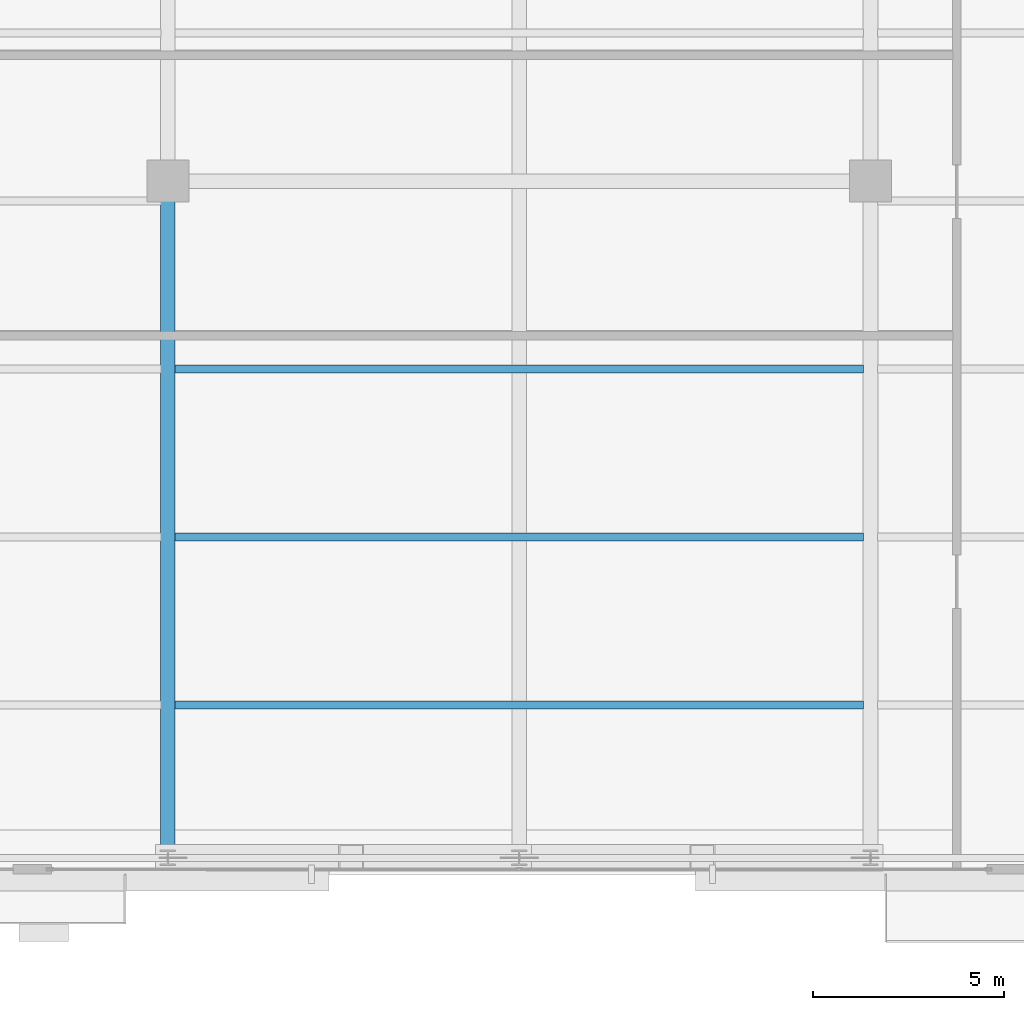
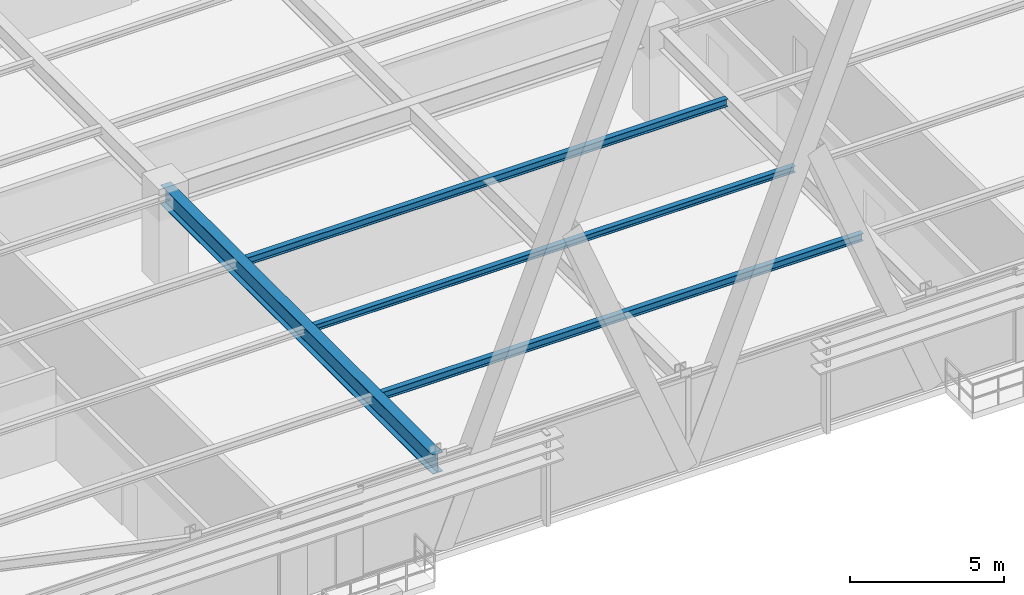
# One storey, part 8 of 32: 4 beams.
"""IFC4 building model written with IfcOpenShell, lengths in metres."""

from ifc_helpers import new_model, si_unit, direction, frame, origin, origin_2d, place, context, subcontext, project, spatial, i_section, extrude, source, transform, mapped, material, material_profile, profile_set, type_object, type_shapes, element, save


model = new_model("IFC4")

# Units and contexts
model_context = context("Model", 3, precision=1e-05, world=origin(), true_north=direction((0.0, 1.0)))
body_context = subcontext(model_context, "Body", "Model", "MODEL_VIEW")
ifc_project = project(units=[si_unit("LENGTHUNIT", "METRE"), si_unit("AREAUNIT", "SQUARE_METRE"), si_unit("VOLUMEUNIT", "CUBIC_METRE"), si_unit("PLANEANGLEUNIT", "RADIAN"), si_unit("MASSUNIT", "GRAM", prefix="KILO")], contexts=[model_context])

# Site, building, storey
site_placement = place(None, origin())
site = spatial("IfcSite", under=ifc_project, at=site_placement, CompositionType="ELEMENT")
building_placement = place(site_placement, origin())
building = spatial("IfcBuilding", under=site, at=building_placement, Name="Varnel Quay Broadcast Tower", CompositionType="ELEMENT")
storey_placement = place(building_placement, frame((0.0, 0.0, 58.800048828125)))
storey = spatial("IfcBuildingStorey", under=building, at=storey_placement, Name="L13", CompositionType="ELEMENT", Elevation=58.800048828125)

# Beams
ifc_material = material(Name="Structural Steel CSA G40.21 350W", Category="steel")
ifc_material_profile_1 = material_profile(ifc_material, i_section(OverallWidth=0.381103515625, OverallDepth=0.77294921875, WebThickness=0.0166015625, FlangeThickness=0.027587890625, FilletRadius=0.01806640625, at=origin_2d()), Name="W760X257")
ifc_profile_set_1 = profile_set([ifc_material_profile_1], Name="Structural Steel CSA G40.21 350W")
beam_type_1 = type_object("IfcBeamType", Name="Girder_W760X257", PredefinedType="BEAM", material=ifc_profile_set_1)
shared_shape_1 = source(origin(), body_context, "Body", "SweptSolid", [
    extrude(i_section(OverallWidth=0.381103515625, OverallDepth=0.77294921875, WebThickness=0.0166015625, FlangeThickness=0.027587890625, FilletRadius=0.01806640625, at=origin_2d()), origin(), (0.0, 0.0, 1.0), 17.68017578125),
])
type_shapes(beam_type_1, [shared_shape_1])
beam_1_placement = place(storey_placement, frame((24.800048828125, 1.669921875, 3.263427734375), z_axis=(0.0, 1.0, 0.0), x_axis=(-1.0, 0.0, 0.0)))
element("IfcBeam", 1, at=beam_1_placement, inside=storey, type_object=beam_type_1, Name="L13 Primary Girder TC-S2-IC-01", PredefinedType="BEAM", context=body_context, shape_type="MappedRepresentation", body=[
    mapped(shared_shape_1, transform((0.0, 0.0, 0.0), x_axis=(1.0, 0.0, 0.0), y_axis=(0.0, 1.0, 0.0), z_axis=(0.0, 0.0, 1.0), scale=1.0)),
])
ifc_material_profile_2 = material_profile(ifc_material, i_section(OverallWidth=0.202880859375, OverallDepth=0.302978515625, WebThickness=0.007568359375, FlangeThickness=0.01318359375, FilletRadius=0.011962890625, at=origin_2d()), Name="W310X60")
ifc_profile_set_2 = profile_set([ifc_material_profile_2], Name="Structural Steel CSA G40.21 350W")
beam_type_2 = type_object("IfcBeamType", Name="Beam_W310X60", PredefinedType="JOIST", material=ifc_profile_set_2)
shared_shape_2 = source(origin(), body_context, "Body", "SweptSolid", [
    extrude(i_section(OverallWidth=0.202880859375, OverallDepth=0.302978515625, WebThickness=0.007568359375, FlangeThickness=0.01318359375, FilletRadius=0.011962890625, at=origin_2d()), origin(), (0.0, 0.0, 1.0), 18.02880859375),
])
type_shapes(beam_type_2, [shared_shape_2])
for number, where, z_axis, x_axis, name in (
    (2, (24.985595703125, 5.64990234375, 3.49853515625), (1.0, 0.0, 0.0), (0.0, 1.0, 0.0), "L13 Central Floor Joist 1"),
    (3, (24.985595703125, 14.449951171875, 3.49853515625), (1.0, 0.0, 0.0), (0.0, 1.0, 0.0), "L13 Central Floor Joist 3"),
):
    element("IfcBeam", number, at=place(storey_placement, frame(where, z_axis=z_axis, x_axis=x_axis)), inside=storey, type_object=beam_type_2, Name=name, PredefinedType="JOIST", context=body_context, shape_type="MappedRepresentation", body=[
        mapped(shared_shape_2, transform((0.0, 0.0, 0.0), x_axis=(1.0, 0.0, 0.0), y_axis=(0.0, 1.0, 0.0), z_axis=(0.0, 0.0, 1.0), scale=1.0)),
    ])
ifc_material_profile_3 = material_profile(ifc_material, i_section(OverallWidth=0.201904296875, OverallDepth=0.2470703125, WebThickness=0.00732421875, FlangeThickness=0.010986328125, FilletRadius=0.010986328125, at=origin_2d()), Name="W250X49")
ifc_profile_set_3 = profile_set([ifc_material_profile_3], Name="Structural Steel CSA G40.21 350W")
beam_type_3 = type_object("IfcBeamType", Name="Beam_W250X49", PredefinedType="JOIST", material=ifc_profile_set_3)
shared_shape_3 = source(origin(), body_context, "Body", "SweptSolid", [
    extrude(i_section(OverallWidth=0.201904296875, OverallDepth=0.2470703125, WebThickness=0.00732421875, FlangeThickness=0.010986328125, FilletRadius=0.010986328125, at=origin_2d()), origin(), (0.0, 0.0, 1.0), 18.02880859375),
])
type_shapes(beam_type_3, [shared_shape_3])
beam_2_placement = place(storey_placement, frame((24.985595703125, 10.050048828125, 3.5263671875), z_axis=(1.0, 0.0, 0.0), x_axis=(0.0, 1.0, 0.0)))
element("IfcBeam", 4, at=beam_2_placement, inside=storey, type_object=beam_type_3, Name="L13 Central Floor Joist 2", PredefinedType="JOIST", context=body_context, shape_type="MappedRepresentation", body=[
    mapped(shared_shape_3, transform((0.0, 0.0, 0.0), x_axis=(1.0, 0.0, 0.0), y_axis=(0.0, 1.0, 0.0), z_axis=(0.0, 0.0, 1.0), scale=1.0)),
])

save(model, "model.ifc")
